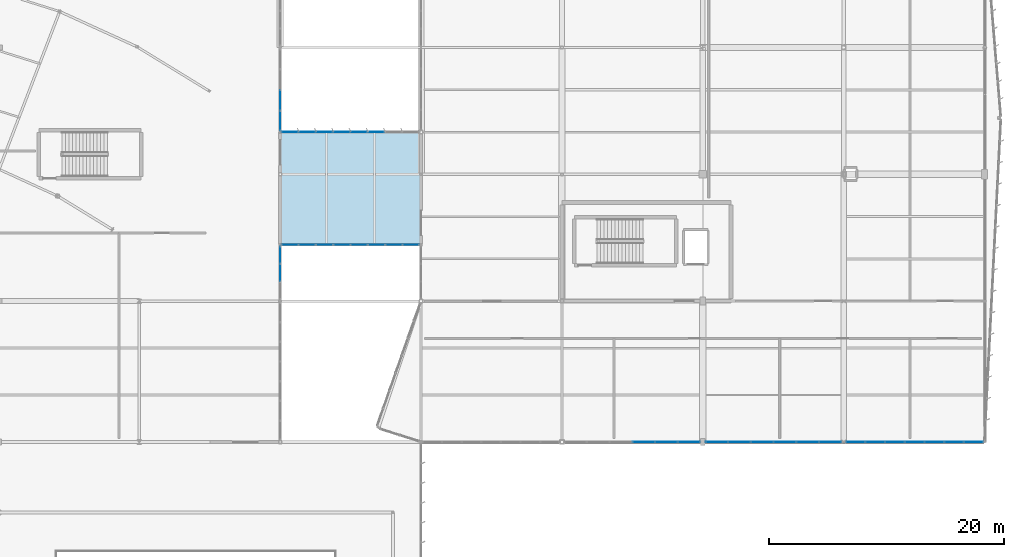
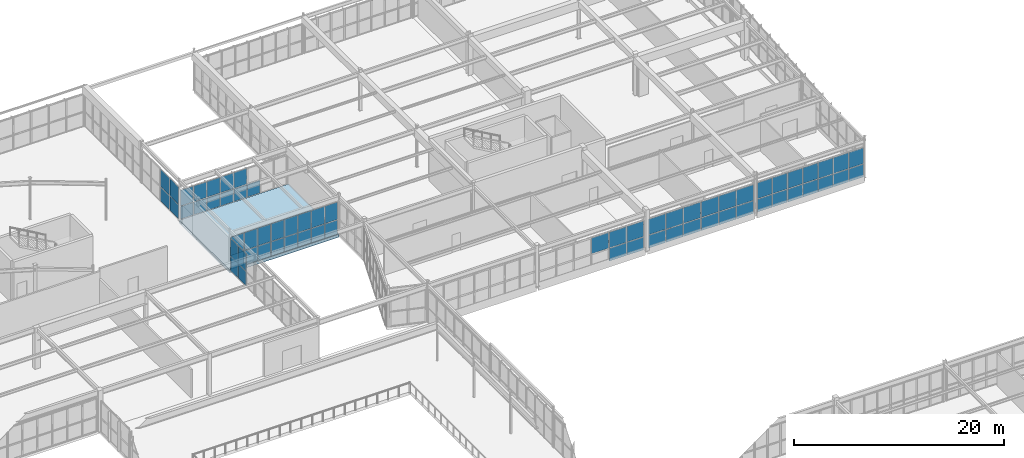
# One storey, part 125 of 186: 66 plates, 1 slab, 7 elements without a shape of their own.
"""IFC4 building model written with IfcOpenShell, lengths in metres."""

from ifc_helpers import new_model, si_unit, direction, frame, origin, origin_2d, place, context, subcontext, project, spatial, polyline, rectangle, outline, extrude, material, layer, layer_set, type_object, element, aggregate, save


model = new_model("IFC4")

# Units and contexts
model_context = context("Model", 3, precision=1e-05, world=origin(), true_north=direction((0.0, 1.0)))
body_context = subcontext(model_context, "Body", "Model", "MODEL_VIEW")
ifc_project = project(units=[si_unit("LENGTHUNIT", "METRE"), si_unit("AREAUNIT", "SQUARE_METRE"), si_unit("VOLUMEUNIT", "CUBIC_METRE"), si_unit("PLANEANGLEUNIT", "RADIAN"), si_unit("MASSUNIT", "GRAM", prefix="KILO")], contexts=[model_context])

# Site, building, storey
site_placement = place(None, origin())
site = spatial("IfcSite", under=ifc_project, at=site_placement, CompositionType="ELEMENT")
building_placement = place(site_placement, origin())
building = spatial("IfcBuilding", under=site, at=building_placement, Name="Tarnwether General Hospital", CompositionType="ELEMENT")
storey_placement = place(building_placement, frame((0.0, 0.0, 9.60009765625)))
storey = spatial("IfcBuildingStorey", under=building, at=storey_placement, Name="L02", CompositionType="ELEMENT", Elevation=9.60009765625)

# Curtain wall, plates
ifc_material_1 = material(Name="Anodised aluminium", Category="aluminium")
ifc_layer_1 = layer(ifc_material_1, 0.159912109375)
ifc_layer_set_1 = layer_set([ifc_layer_1], Name="Anodised aluminium")
curtain_wall_type_1 = type_object("IfcCurtainWallType", Name="CW-15", PredefinedType="NOTDEFINED", material=ifc_layer_set_1)
curtain_wall_1_placement = place(storey_placement, origin())
curtain_wall_1 = element("IfcCurtainWall", 1, at=curtain_wall_1_placement, inside=storey, type_object=curtain_wall_type_1, Name="Curtain Wall CWG-L02-1320_983-0443", PredefinedType="NOTDEFINED")
ifc_material_2 = material(Name="Double glazed low-E glass", Category="glass")
ifc_layer_2 = layer(ifc_material_2, 0.028076171875)
ifc_layer_set_2 = layer_set([ifc_layer_2], Name="Double glazed low-E glass")
plate_type = type_object("IfcPlateType", Name="PT-CWP1", PredefinedType="CURTAIN_PANEL", material=ifc_layer_set_2)
plate_1_placement = place(storey_placement, frame((132.0, 97.535400390625, 0.059814453125), z_axis=(0.0, 0.0, 1.0), x_axis=(0.0, -1.0, 0.0)))
plate_1 = element("IfcPlate", 2, at=plate_1_placement, type_object=plate_type, Name="CW-15 panel 1.1", PredefinedType="CURTAIN_PANEL", context=body_context, shape_type="SweptSolid", body=[
    extrude(rectangle(XDim=1.443115234375, YDim=0.028076171875, at=origin_2d()), origin(), (0.0, 0.0, 1.0), 1.6484375),
])
plate_2_placement = place(storey_placement, frame((132.0, 97.535400390625, 1.768310546875), z_axis=(0.0, 0.0, 1.0), x_axis=(0.0, -1.0, 0.0)))
plate_2 = element("IfcPlate", 3, at=plate_2_placement, type_object=plate_type, Name="CW-15 panel 1.2", PredefinedType="CURTAIN_PANEL", context=body_context, shape_type="SweptSolid", body=[
    extrude(rectangle(XDim=1.443115234375, YDim=0.028076171875, at=origin_2d()), origin(), (0.0, 0.0, 1.0), 2.03466796875),
])
plate_3_placement = place(storey_placement, frame((132.0, 96.017578125, 0.059814453125), z_axis=(0.0, 0.0, 1.0), x_axis=(0.0, -1.0, 0.0)))
plate_3 = element("IfcPlate", 4, at=plate_3_placement, type_object=plate_type, Name="CW-15 panel 2.1", PredefinedType="CURTAIN_PANEL", context=body_context, shape_type="SweptSolid", body=[
    extrude(rectangle(XDim=1.472900390625, YDim=0.028076171875, at=origin_2d()), origin(), (0.0, 0.0, 1.0), 1.6484375),
])
plate_4_placement = place(storey_placement, frame((132.0, 96.017578125, 1.768310546875), z_axis=(0.0, 0.0, 1.0), x_axis=(0.0, -1.0, 0.0)))
plate_4 = element("IfcPlate", 5, at=plate_4_placement, type_object=plate_type, Name="CW-15 panel 2.2", PredefinedType="CURTAIN_PANEL", context=body_context, shape_type="SweptSolid", body=[
    extrude(rectangle(XDim=1.472900390625, YDim=0.028076171875, at=origin_2d()), origin(), (0.0, 0.0, 1.0), 2.03466796875),
])
aggregate(curtain_wall_1, [plate_1, plate_2, plate_3, plate_4])

curtain_wall_2_placement = place(storey_placement, origin())
curtain_wall_2 = element("IfcCurtainWall", 6, at=curtain_wall_2_placement, inside=storey, type_object=curtain_wall_type_1, Name="Curtain Wall CWG-L02-1320_1151-0449", PredefinedType="NOTDEFINED")
plate_5_placement = place(storey_placement, frame((132.0, 110.703369140625, 0.059814453125), z_axis=(0.0, 0.0, 1.0), x_axis=(0.0, -1.0, 0.0)))
plate_5 = element("IfcPlate", 7, at=plate_5_placement, type_object=plate_type, Name="CW-15 panel 3.1", PredefinedType="CURTAIN_PANEL", context=body_context, shape_type="SweptSolid", body=[
    extrude(rectangle(XDim=1.695556640625, YDim=0.028076171875, at=origin_2d()), origin(), (0.0, 0.0, 1.0), 1.6357421875),
])
plate_6_placement = place(storey_placement, frame((132.0, 110.703369140625, 1.75537109375), z_axis=(0.0, 0.0, 1.0), x_axis=(0.0, -1.0, 0.0)))
plate_6 = element("IfcPlate", 8, at=plate_6_placement, type_object=plate_type, Name="CW-15 panel 3.2", PredefinedType="CURTAIN_PANEL", context=body_context, shape_type="SweptSolid", body=[
    extrude(rectangle(XDim=1.695556640625, YDim=0.028076171875, at=origin_2d()), origin(), (0.0, 0.0, 1.0), 2.019287109375),
])
plate_7_placement = place(storey_placement, frame((132.0, 108.962646484375, 0.059814453125), z_axis=(0.0, 0.0, 1.0), x_axis=(0.0, -1.0, 0.0)))
plate_7 = element("IfcPlate", 9, at=plate_7_placement, type_object=plate_type, Name="CW-15 panel 4.1", PredefinedType="CURTAIN_PANEL", context=body_context, shape_type="SweptSolid", body=[
    extrude(rectangle(XDim=1.66552734375, YDim=0.028076171875, at=origin_2d()), origin(), (0.0, 0.0, 1.0), 1.6357421875),
])
plate_8_placement = place(storey_placement, frame((132.0, 108.962646484375, 1.75537109375), z_axis=(0.0, 0.0, 1.0), x_axis=(0.0, -1.0, 0.0)))
plate_8 = element("IfcPlate", 10, at=plate_8_placement, type_object=plate_type, Name="CW-15 panel 4.2", PredefinedType="CURTAIN_PANEL", context=body_context, shape_type="SweptSolid", body=[
    extrude(rectangle(XDim=1.66552734375, YDim=0.028076171875, at=origin_2d()), origin(), (0.0, 0.0, 1.0), 2.019287109375),
])
aggregate(curtain_wall_2, [plate_5, plate_6, plate_7, plate_8])

ifc_material_3 = material(Name="Anodised aluminium", Category="aluminium")
ifc_layer_3 = layer(ifc_material_3, 0.159912109375)
ifc_layer_set_3 = layer_set([ifc_layer_3], Name="Anodised aluminium")
curtain_wall_type_2 = type_object("IfcCurtainWallType", Name="CW-17", PredefinedType="NOTDEFINED", material=ifc_layer_set_3)
curtain_wall_3_placement = place(storey_placement, origin())
curtain_wall_3 = element("IfcCurtainWall", 11, at=curtain_wall_3_placement, inside=storey, type_object=curtain_wall_type_2, Name="Curtain Wall CWG-L02-1919_816-0466", PredefinedType="NOTDEFINED")
plate_9_placement = place(storey_placement, frame((191.062255859375, 81.60009765625, 0.06005859375), z_axis=(0.0, 0.0, 1.0), x_axis=(-1.0, 0.0, 0.0)))
plate_9 = element("IfcPlate", 12, at=plate_9_placement, type_object=plate_type, Name="CW-17 panel 1.1", PredefinedType="CURTAIN_PANEL", context=body_context, shape_type="SweptSolid", body=[
    extrude(rectangle(XDim=1.58935546875, YDim=0.028076171875, at=origin_2d()), origin(), (0.0, 0.0, 1.0), 1.49609375),
])
plate_10_placement = place(storey_placement, frame((191.062255859375, 81.60009765625, 1.6162109375), z_axis=(0.0, 0.0, 1.0), x_axis=(-1.0, 0.0, 0.0)))
plate_10 = element("IfcPlate", 13, at=plate_10_placement, type_object=plate_type, Name="CW-17 panel 1.2", PredefinedType="CURTAIN_PANEL", context=body_context, shape_type="SweptSolid", body=[
    extrude(rectangle(XDim=1.58935546875, YDim=0.028076171875, at=origin_2d()), origin(), (0.0, 0.0, 1.0), 1.848876953125),
])
plate_11_placement = place(storey_placement, frame((189.398193359375, 81.60009765625, 0.06005859375), z_axis=(0.0, 0.0, 1.0), x_axis=(-1.0, 0.0, 0.0)))
plate_11 = element("IfcPlate", 14, at=plate_11_placement, type_object=plate_type, Name="CW-17 panel 2.1", PredefinedType="CURTAIN_PANEL", context=body_context, shape_type="SweptSolid", body=[
    extrude(rectangle(XDim=1.619384765625, YDim=0.028076171875, at=origin_2d()), origin(), (0.0, 0.0, 1.0), 1.49609375),
])
plate_12_placement = place(storey_placement, frame((189.398193359375, 81.60009765625, 1.6162109375), z_axis=(0.0, 0.0, 1.0), x_axis=(-1.0, 0.0, 0.0)))
plate_12 = element("IfcPlate", 15, at=plate_12_placement, type_object=plate_type, Name="CW-17 panel 2.2", PredefinedType="CURTAIN_PANEL", context=body_context, shape_type="SweptSolid", body=[
    extrude(rectangle(XDim=1.619384765625, YDim=0.028076171875, at=origin_2d()), origin(), (0.0, 0.0, 1.0), 1.848876953125),
])
plate_13_placement = place(storey_placement, frame((187.71875, 81.60009765625, 0.06005859375), z_axis=(0.0, 0.0, 1.0), x_axis=(-1.0, 0.0, 0.0)))
plate_13 = element("IfcPlate", 16, at=plate_13_placement, type_object=plate_type, Name="CW-17 panel 3.1", PredefinedType="CURTAIN_PANEL", context=body_context, shape_type="SweptSolid", body=[
    extrude(rectangle(XDim=1.619384765625, YDim=0.028076171875, at=origin_2d()), origin(), (0.0, 0.0, 1.0), 1.49609375),
])
plate_14_placement = place(storey_placement, frame((187.71875, 81.60009765625, 1.6162109375), z_axis=(0.0, 0.0, 1.0), x_axis=(-1.0, 0.0, 0.0)))
plate_14 = element("IfcPlate", 17, at=plate_14_placement, type_object=plate_type, Name="CW-17 panel 3.2", PredefinedType="CURTAIN_PANEL", context=body_context, shape_type="SweptSolid", body=[
    extrude(rectangle(XDim=1.619384765625, YDim=0.028076171875, at=origin_2d()), origin(), (0.0, 0.0, 1.0), 1.848876953125),
])
plate_15_placement = place(storey_placement, frame((186.03955078125, 81.60009765625, 0.06005859375), z_axis=(0.0, 0.0, 1.0), x_axis=(-1.0, 0.0, 0.0)))
plate_15 = element("IfcPlate", 18, at=plate_15_placement, type_object=plate_type, Name="CW-17 panel 4.1", PredefinedType="CURTAIN_PANEL", context=body_context, shape_type="SweptSolid", body=[
    extrude(rectangle(XDim=1.619384765625, YDim=0.028076171875, at=origin_2d()), origin(), (0.0, 0.0, 1.0), 1.49609375),
])
plate_16_placement = place(storey_placement, frame((186.03955078125, 81.60009765625, 1.6162109375), z_axis=(0.0, 0.0, 1.0), x_axis=(-1.0, 0.0, 0.0)))
plate_16 = element("IfcPlate", 19, at=plate_16_placement, type_object=plate_type, Name="CW-17 panel 4.2", PredefinedType="CURTAIN_PANEL", context=body_context, shape_type="SweptSolid", body=[
    extrude(rectangle(XDim=1.619384765625, YDim=0.028076171875, at=origin_2d()), origin(), (0.0, 0.0, 1.0), 1.848876953125),
])
plate_17_placement = place(storey_placement, frame((184.360107421875, 81.60009765625, 0.06005859375), z_axis=(0.0, 0.0, 1.0), x_axis=(-1.0, 0.0, 0.0)))
plate_17 = element("IfcPlate", 20, at=plate_17_placement, type_object=plate_type, Name="CW-17 panel 5.1", PredefinedType="CURTAIN_PANEL", context=body_context, shape_type="SweptSolid", body=[
    extrude(rectangle(XDim=1.619384765625, YDim=0.028076171875, at=origin_2d()), origin(), (0.0, 0.0, 1.0), 1.49609375),
])
plate_18_placement = place(storey_placement, frame((184.360107421875, 81.60009765625, 1.6162109375), z_axis=(0.0, 0.0, 1.0), x_axis=(-1.0, 0.0, 0.0)))
plate_18 = element("IfcPlate", 21, at=plate_18_placement, type_object=plate_type, Name="CW-17 panel 5.2", PredefinedType="CURTAIN_PANEL", context=body_context, shape_type="SweptSolid", body=[
    extrude(rectangle(XDim=1.619384765625, YDim=0.028076171875, at=origin_2d()), origin(), (0.0, 0.0, 1.0), 1.848876953125),
])
plate_19_placement = place(storey_placement, frame((182.680908203125, 81.60009765625, 0.06005859375), z_axis=(0.0, 0.0, 1.0), x_axis=(-1.0, 0.0, 0.0)))
plate_19 = element("IfcPlate", 22, at=plate_19_placement, type_object=plate_type, Name="CW-17 panel 6.1", PredefinedType="CURTAIN_PANEL", context=body_context, shape_type="SweptSolid", body=[
    extrude(rectangle(XDim=1.619384765625, YDim=0.028076171875, at=origin_2d()), origin(), (0.0, 0.0, 1.0), 1.49609375),
])
plate_20_placement = place(storey_placement, frame((182.680908203125, 81.60009765625, 1.6162109375), z_axis=(0.0, 0.0, 1.0), x_axis=(-1.0, 0.0, 0.0)))
plate_20 = element("IfcPlate", 23, at=plate_20_placement, type_object=plate_type, Name="CW-17 panel 6.2", PredefinedType="CURTAIN_PANEL", context=body_context, shape_type="SweptSolid", body=[
    extrude(rectangle(XDim=1.619384765625, YDim=0.028076171875, at=origin_2d()), origin(), (0.0, 0.0, 1.0), 1.848876953125),
])
plate_21_placement = place(storey_placement, frame((181.0166015625, 81.60009765625, 0.06005859375), z_axis=(0.0, 0.0, 1.0), x_axis=(-1.0, 0.0, 0.0)))
plate_21 = element("IfcPlate", 24, at=plate_21_placement, type_object=plate_type, Name="CW-17 panel 7.1", PredefinedType="CURTAIN_PANEL", context=body_context, shape_type="SweptSolid", body=[
    extrude(rectangle(XDim=1.58935546875, YDim=0.028076171875, at=origin_2d()), origin(), (0.0, 0.0, 1.0), 1.49609375),
])
plate_22_placement = place(storey_placement, frame((181.0166015625, 81.60009765625, 1.6162109375), z_axis=(0.0, 0.0, 1.0), x_axis=(-1.0, 0.0, 0.0)))
plate_22 = element("IfcPlate", 25, at=plate_22_placement, type_object=plate_type, Name="CW-17 panel 7.2", PredefinedType="CURTAIN_PANEL", context=body_context, shape_type="SweptSolid", body=[
    extrude(rectangle(XDim=1.58935546875, YDim=0.028076171875, at=origin_2d()), origin(), (0.0, 0.0, 1.0), 1.848876953125),
])
aggregate(curtain_wall_3, [plate_9, plate_10, plate_11, plate_12, plate_13, plate_14, plate_15, plate_16, plate_17, plate_18, plate_19, plate_20, plate_21, plate_22])

curtain_wall_4_placement = place(storey_placement, origin())
curtain_wall_4 = element("IfcCurtainWall", 26, at=curtain_wall_4_placement, inside=storey, type_object=curtain_wall_type_2, Name="Curtain Wall CWG-L02-1798_816-0467", PredefinedType="NOTDEFINED")
plate_23_placement = place(storey_placement, frame((178.853759765625, 81.60009765625, 0.059814453125), z_axis=(0.0, 0.0, 1.0), x_axis=(-1.0, 0.0, 0.0)))
plate_23 = element("IfcPlate", 27, at=plate_23_placement, type_object=plate_type, Name="CW-17 panel 1.1", PredefinedType="CURTAIN_PANEL", context=body_context, shape_type="SweptSolid", body=[
    extrude(rectangle(XDim=1.848388671875, YDim=0.028076171875, at=origin_2d()), origin(), (0.0, 0.0, 1.0), 1.47607421875),
])
plate_24_placement = place(storey_placement, frame((178.853759765625, 81.60009765625, 1.595703125), z_axis=(0.0, 0.0, 1.0), x_axis=(-1.0, 0.0, 0.0)))
plate_24 = element("IfcPlate", 28, at=plate_24_placement, type_object=plate_type, Name="CW-17 panel 1.2", PredefinedType="CURTAIN_PANEL", context=body_context, shape_type="SweptSolid", body=[
    extrude(rectangle(XDim=1.848388671875, YDim=0.028076171875, at=origin_2d()), origin(), (0.0, 0.0, 1.0), 1.823974609375),
])
plate_25_placement = place(storey_placement, frame((176.930419921875, 81.60009765625, 0.059814453125), z_axis=(0.0, 0.0, 1.0), x_axis=(-1.0, 0.0, 0.0)))
plate_25 = element("IfcPlate", 29, at=plate_25_placement, type_object=plate_type, Name="CW-17 panel 2.1", PredefinedType="CURTAIN_PANEL", context=body_context, shape_type="SweptSolid", body=[
    extrude(rectangle(XDim=1.87841796875, YDim=0.028076171875, at=origin_2d()), origin(), (0.0, 0.0, 1.0), 1.47607421875),
])
plate_26_placement = place(storey_placement, frame((176.930419921875, 81.60009765625, 1.595703125), z_axis=(0.0, 0.0, 1.0), x_axis=(-1.0, 0.0, 0.0)))
plate_26 = element("IfcPlate", 30, at=plate_26_placement, type_object=plate_type, Name="CW-17 panel 2.2", PredefinedType="CURTAIN_PANEL", context=body_context, shape_type="SweptSolid", body=[
    extrude(rectangle(XDim=1.87841796875, YDim=0.028076171875, at=origin_2d()), origin(), (0.0, 0.0, 1.0), 1.823974609375),
])
plate_27_placement = place(storey_placement, frame((174.9921875, 81.60009765625, 0.059814453125), z_axis=(0.0, 0.0, 1.0), x_axis=(-1.0, 0.0, 0.0)))
plate_27 = element("IfcPlate", 31, at=plate_27_placement, type_object=plate_type, Name="CW-17 panel 3.1", PredefinedType="CURTAIN_PANEL", context=body_context, shape_type="SweptSolid", body=[
    extrude(rectangle(XDim=1.87841796875, YDim=0.028076171875, at=origin_2d()), origin(), (0.0, 0.0, 1.0), 1.47607421875),
])
plate_28_placement = place(storey_placement, frame((174.9921875, 81.60009765625, 1.595703125), z_axis=(0.0, 0.0, 1.0), x_axis=(-1.0, 0.0, 0.0)))
plate_28 = element("IfcPlate", 32, at=plate_28_placement, type_object=plate_type, Name="CW-17 panel 3.2", PredefinedType="CURTAIN_PANEL", context=body_context, shape_type="SweptSolid", body=[
    extrude(rectangle(XDim=1.87841796875, YDim=0.028076171875, at=origin_2d()), origin(), (0.0, 0.0, 1.0), 1.823974609375),
])
plate_29_placement = place(storey_placement, frame((173.053955078125, 81.60009765625, 0.059814453125), z_axis=(0.0, 0.0, 1.0), x_axis=(-1.0, 0.0, 0.0)))
plate_29 = element("IfcPlate", 33, at=plate_29_placement, type_object=plate_type, Name="CW-17 panel 4.1", PredefinedType="CURTAIN_PANEL", context=body_context, shape_type="SweptSolid", body=[
    extrude(rectangle(XDim=1.87841796875, YDim=0.028076171875, at=origin_2d()), origin(), (0.0, 0.0, 1.0), 1.47607421875),
])
plate_30_placement = place(storey_placement, frame((173.053955078125, 81.60009765625, 1.595703125), z_axis=(0.0, 0.0, 1.0), x_axis=(-1.0, 0.0, 0.0)))
plate_30 = element("IfcPlate", 34, at=plate_30_placement, type_object=plate_type, Name="CW-17 panel 4.2", PredefinedType="CURTAIN_PANEL", context=body_context, shape_type="SweptSolid", body=[
    extrude(rectangle(XDim=1.87841796875, YDim=0.028076171875, at=origin_2d()), origin(), (0.0, 0.0, 1.0), 1.823974609375),
])
plate_31_placement = place(storey_placement, frame((171.115478515625, 81.60009765625, 0.059814453125), z_axis=(0.0, 0.0, 1.0), x_axis=(-1.0, 0.0, 0.0)))
plate_31 = element("IfcPlate", 35, at=plate_31_placement, type_object=plate_type, Name="CW-17 panel 5.1", PredefinedType="CURTAIN_PANEL", context=body_context, shape_type="SweptSolid", body=[
    extrude(rectangle(XDim=1.87841796875, YDim=0.028076171875, at=origin_2d()), origin(), (0.0, 0.0, 1.0), 1.47607421875),
])
plate_32_placement = place(storey_placement, frame((171.115478515625, 81.60009765625, 1.595703125), z_axis=(0.0, 0.0, 1.0), x_axis=(-1.0, 0.0, 0.0)))
plate_32 = element("IfcPlate", 36, at=plate_32_placement, type_object=plate_type, Name="CW-17 panel 5.2", PredefinedType="CURTAIN_PANEL", context=body_context, shape_type="SweptSolid", body=[
    extrude(rectangle(XDim=1.87841796875, YDim=0.028076171875, at=origin_2d()), origin(), (0.0, 0.0, 1.0), 1.823974609375),
])
plate_33_placement = place(storey_placement, frame((169.192138671875, 81.60009765625, 0.059814453125), z_axis=(0.0, 0.0, 1.0), x_axis=(-1.0, 0.0, 0.0)))
plate_33 = element("IfcPlate", 37, at=plate_33_placement, type_object=plate_type, Name="CW-17 panel 6.1", PredefinedType="CURTAIN_PANEL", context=body_context, shape_type="SweptSolid", body=[
    extrude(rectangle(XDim=1.848388671875, YDim=0.028076171875, at=origin_2d()), origin(), (0.0, 0.0, 1.0), 1.47607421875),
])
plate_34_placement = place(storey_placement, frame((169.192138671875, 81.60009765625, 1.595703125), z_axis=(0.0, 0.0, 1.0), x_axis=(-1.0, 0.0, 0.0)))
plate_34 = element("IfcPlate", 38, at=plate_34_placement, type_object=plate_type, Name="CW-17 panel 6.2", PredefinedType="CURTAIN_PANEL", context=body_context, shape_type="SweptSolid", body=[
    extrude(rectangle(XDim=1.848388671875, YDim=0.028076171875, at=origin_2d()), origin(), (0.0, 0.0, 1.0), 1.823974609375),
])
aggregate(curtain_wall_4, [plate_23, plate_24, plate_25, plate_26, plate_27, plate_28, plate_29, plate_30, plate_31, plate_32, plate_33, plate_34])

curtain_wall_5_placement = place(storey_placement, origin())
curtain_wall_5 = element("IfcCurtainWall", 39, at=curtain_wall_5_placement, inside=storey, type_object=curtain_wall_type_2, Name="Curtain Wall CWG-L02-1678_816-0468", PredefinedType="NOTDEFINED")
plate_35_placement = place(storey_placement, frame((166.809814453125, 81.60009765625, 0.059814453125), z_axis=(0.0, 0.0, 1.0), x_axis=(-1.0, 0.0, 0.0)))
plate_35 = element("IfcPlate", 40, at=plate_35_placement, type_object=plate_type, Name="CW-17 panel 1.1", PredefinedType="CURTAIN_PANEL", context=body_context, shape_type="SweptSolid", body=[
    extrude(rectangle(XDim=1.84423828125, YDim=0.028076171875, at=origin_2d()), origin(), (0.0, 0.0, 1.0), 1.47607421875),
])
plate_36_placement = place(storey_placement, frame((166.809814453125, 81.60009765625, 1.595703125), z_axis=(0.0, 0.0, 1.0), x_axis=(-1.0, 0.0, 0.0)))
plate_36 = element("IfcPlate", 41, at=plate_36_placement, type_object=plate_type, Name="CW-17 panel 1.2", PredefinedType="CURTAIN_PANEL", context=body_context, shape_type="SweptSolid", body=[
    extrude(rectangle(XDim=1.84423828125, YDim=0.028076171875, at=origin_2d()), origin(), (0.0, 0.0, 1.0), 1.823974609375),
])
plate_37_placement = place(storey_placement, frame((164.890380859375, 81.60009765625, 0.059814453125), z_axis=(0.0, 0.0, 1.0), x_axis=(-1.0, 0.0, 0.0)))
plate_37 = element("IfcPlate", 42, at=plate_37_placement, type_object=plate_type, Name="CW-17 panel 2.1", PredefinedType="CURTAIN_PANEL", context=body_context, shape_type="SweptSolid", body=[
    extrude(rectangle(XDim=1.874267578125, YDim=0.028076171875, at=origin_2d()), origin(), (0.0, 0.0, 1.0), 1.47607421875),
])
plate_38_placement = place(storey_placement, frame((164.890380859375, 81.60009765625, 1.595703125), z_axis=(0.0, 0.0, 1.0), x_axis=(-1.0, 0.0, 0.0)))
plate_38 = element("IfcPlate", 43, at=plate_38_placement, type_object=plate_type, Name="CW-17 panel 2.2", PredefinedType="CURTAIN_PANEL", context=body_context, shape_type="SweptSolid", body=[
    extrude(rectangle(XDim=1.874267578125, YDim=0.028076171875, at=origin_2d()), origin(), (0.0, 0.0, 1.0), 1.823974609375),
])
plate_39_placement = place(storey_placement, frame((162.9560546875, 81.60009765625, 1.595703125), z_axis=(0.0, 0.0, 1.0), x_axis=(-1.0, 0.0, 0.0)))
plate_39 = element("IfcPlate", 44, at=plate_39_placement, type_object=plate_type, Name="CW-17 panel 3.2", PredefinedType="CURTAIN_PANEL", context=body_context, shape_type="SweptSolid", body=[
    extrude(rectangle(XDim=1.874267578125, YDim=0.028076171875, at=origin_2d()), origin(), (0.0, 0.0, 1.0), 1.823974609375),
])
aggregate(curtain_wall_5, [plate_35, plate_36, plate_37, plate_38, plate_39])

ifc_material_4 = material(Name="Anodised aluminium", Category="aluminium")
ifc_layer_4 = layer(ifc_material_4, 0.159912109375)
ifc_layer_set_4 = layer_set([ifc_layer_4], Name="Anodised aluminium")
curtain_wall_type_3 = type_object("IfcCurtainWallType", Name="CW-21", PredefinedType="NOTDEFINED", material=ifc_layer_set_4)
curtain_wall_6_placement = place(storey_placement, origin())
curtain_wall_6 = element("IfcCurtainWall", 45, at=curtain_wall_6_placement, inside=storey, type_object=curtain_wall_type_3, Name="Curtain Wall CWG-L02-1321_1080-0474", PredefinedType="NOTDEFINED")
plate_40_placement = place(storey_placement, frame((132.821044921875, 108.0, 0.059814453125), z_axis=(0.0, 0.0, 1.0), x_axis=(1.0, 0.0, 0.0)))
plate_40 = element("IfcPlate", 46, at=plate_40_placement, type_object=plate_type, Name="CW-21 panel 1.1", PredefinedType="CURTAIN_PANEL", context=body_context, shape_type="SweptSolid", body=[
    extrude(rectangle(XDim=1.3798828125, YDim=0.028076171875, at=origin_2d()), origin(), (0.0, 0.0, 1.0), 1.47607421875),
])
plate_41_placement = place(storey_placement, frame((132.821044921875, 108.0, 1.595703125), z_axis=(0.0, 0.0, 1.0), x_axis=(1.0, 0.0, 0.0)))
plate_41 = element("IfcPlate", 47, at=plate_41_placement, type_object=plate_type, Name="CW-21 panel 1.2", PredefinedType="CURTAIN_PANEL", context=body_context, shape_type="SweptSolid", body=[
    extrude(rectangle(XDim=1.3798828125, YDim=0.028076171875, at=origin_2d()), origin(), (0.0, 0.0, 1.0), 1.823974609375),
])
plate_42_placement = place(storey_placement, frame((134.27587890625, 108.0, 0.059814453125), z_axis=(0.0, 0.0, 1.0), x_axis=(1.0, 0.0, 0.0)))
plate_42 = element("IfcPlate", 48, at=plate_42_placement, type_object=plate_type, Name="CW-21 panel 2.1", PredefinedType="CURTAIN_PANEL", context=body_context, shape_type="SweptSolid", body=[
    extrude(rectangle(XDim=1.409912109375, YDim=0.028076171875, at=origin_2d()), origin(), (0.0, 0.0, 1.0), 1.47607421875),
])
plate_43_placement = place(storey_placement, frame((134.27587890625, 108.0, 1.595703125), z_axis=(0.0, 0.0, 1.0), x_axis=(1.0, 0.0, 0.0)))
plate_43 = element("IfcPlate", 49, at=plate_43_placement, type_object=plate_type, Name="CW-21 panel 2.2", PredefinedType="CURTAIN_PANEL", context=body_context, shape_type="SweptSolid", body=[
    extrude(rectangle(XDim=1.409912109375, YDim=0.028076171875, at=origin_2d()), origin(), (0.0, 0.0, 1.0), 1.823974609375),
])
plate_44_placement = place(storey_placement, frame((135.74560546875, 108.0, 0.059814453125), z_axis=(0.0, 0.0, 1.0), x_axis=(1.0, 0.0, 0.0)))
plate_44 = element("IfcPlate", 50, at=plate_44_placement, type_object=plate_type, Name="CW-21 panel 3.1", PredefinedType="CURTAIN_PANEL", context=body_context, shape_type="SweptSolid", body=[
    extrude(rectangle(XDim=1.409912109375, YDim=0.028076171875, at=origin_2d()), origin(), (0.0, 0.0, 1.0), 1.47607421875),
])
plate_45_placement = place(storey_placement, frame((135.74560546875, 108.0, 1.595703125), z_axis=(0.0, 0.0, 1.0), x_axis=(1.0, 0.0, 0.0)))
plate_45 = element("IfcPlate", 51, at=plate_45_placement, type_object=plate_type, Name="CW-21 panel 3.2", PredefinedType="CURTAIN_PANEL", context=body_context, shape_type="SweptSolid", body=[
    extrude(rectangle(XDim=1.409912109375, YDim=0.028076171875, at=origin_2d()), origin(), (0.0, 0.0, 1.0), 1.823974609375),
])
plate_46_placement = place(storey_placement, frame((137.215576171875, 108.0, 0.059814453125), z_axis=(0.0, 0.0, 1.0), x_axis=(1.0, 0.0, 0.0)))
plate_46 = element("IfcPlate", 52, at=plate_46_placement, type_object=plate_type, Name="CW-21 panel 4.1", PredefinedType="CURTAIN_PANEL", context=body_context, shape_type="SweptSolid", body=[
    extrude(rectangle(XDim=1.409912109375, YDim=0.028076171875, at=origin_2d()), origin(), (0.0, 0.0, 1.0), 1.47607421875),
])
plate_47_placement = place(storey_placement, frame((137.215576171875, 108.0, 1.595703125), z_axis=(0.0, 0.0, 1.0), x_axis=(1.0, 0.0, 0.0)))
plate_47 = element("IfcPlate", 53, at=plate_47_placement, type_object=plate_type, Name="CW-21 panel 4.2", PredefinedType="CURTAIN_PANEL", context=body_context, shape_type="SweptSolid", body=[
    extrude(rectangle(XDim=1.409912109375, YDim=0.028076171875, at=origin_2d()), origin(), (0.0, 0.0, 1.0), 1.823974609375),
])
plate_48_placement = place(storey_placement, frame((138.685546875, 108.0, 0.059814453125), z_axis=(0.0, 0.0, 1.0), x_axis=(1.0, 0.0, 0.0)))
plate_48 = element("IfcPlate", 54, at=plate_48_placement, type_object=plate_type, Name="CW-21 panel 5.1", PredefinedType="CURTAIN_PANEL", context=body_context, shape_type="SweptSolid", body=[
    extrude(rectangle(XDim=1.409912109375, YDim=0.028076171875, at=origin_2d()), origin(), (0.0, 0.0, 1.0), 1.47607421875),
])
plate_49_placement = place(storey_placement, frame((138.685546875, 108.0, 1.595703125), z_axis=(0.0, 0.0, 1.0), x_axis=(1.0, 0.0, 0.0)))
plate_49 = element("IfcPlate", 55, at=plate_49_placement, type_object=plate_type, Name="CW-21 panel 5.2", PredefinedType="CURTAIN_PANEL", context=body_context, shape_type="SweptSolid", body=[
    extrude(rectangle(XDim=1.409912109375, YDim=0.028076171875, at=origin_2d()), origin(), (0.0, 0.0, 1.0), 1.823974609375),
])
plate_50_placement = place(storey_placement, frame((140.1552734375, 108.0, 0.059814453125), z_axis=(0.0, 0.0, 1.0), x_axis=(1.0, 0.0, 0.0)))
plate_50 = element("IfcPlate", 56, at=plate_50_placement, type_object=plate_type, Name="CW-21 panel 6.1", PredefinedType="CURTAIN_PANEL", context=body_context, shape_type="SweptSolid", body=[
    extrude(rectangle(XDim=1.409912109375, YDim=0.028076171875, at=origin_2d()), origin(), (0.0, 0.0, 1.0), 1.47607421875),
])
aggregate(curtain_wall_6, [plate_40, plate_41, plate_42, plate_43, plate_44, plate_45, plate_46, plate_47, plate_48, plate_49, plate_50])

ifc_material_5 = material(Name="Anodised aluminium", Category="aluminium")
ifc_layer_5 = layer(ifc_material_5, 0.159912109375)
ifc_layer_set_5 = layer_set([ifc_layer_5], Name="Anodised aluminium")
curtain_wall_type_4 = type_object("IfcCurtainWallType", Name="CW-22", PredefinedType="NOTDEFINED", material=ifc_layer_set_5)
curtain_wall_7_placement = place(storey_placement, origin())
curtain_wall_7 = element("IfcCurtainWall", 57, at=curtain_wall_7_placement, inside=storey, type_object=curtain_wall_type_4, Name="Curtain Wall CWG-L02-1439_984-0475", PredefinedType="NOTDEFINED")
plate_51_placement = place(storey_placement, frame((143.13623046875, 98.39990234375, 0.059814453125), z_axis=(0.0, 0.0, 1.0), x_axis=(-1.0, 0.0, 0.0)))
plate_51 = element("IfcPlate", 58, at=plate_51_placement, type_object=plate_type, Name="CW-22 panel 1.1", PredefinedType="CURTAIN_PANEL", context=body_context, shape_type="SweptSolid", body=[
    extrude(rectangle(XDim=1.3857421875, YDim=0.028076171875, at=origin_2d()), origin(), (0.0, 0.0, 1.0), 1.6484375),
])
plate_52_placement = place(storey_placement, frame((143.13623046875, 98.39990234375, 1.768310546875), z_axis=(0.0, 0.0, 1.0), x_axis=(-1.0, 0.0, 0.0)))
plate_52 = element("IfcPlate", 59, at=plate_52_placement, type_object=plate_type, Name="CW-22 panel 1.2", PredefinedType="CURTAIN_PANEL", context=body_context, shape_type="SweptSolid", body=[
    extrude(rectangle(XDim=1.3857421875, YDim=0.028076171875, at=origin_2d()), origin(), (0.0, 0.0, 1.0), 2.03466796875),
])
plate_53_placement = place(storey_placement, frame((141.67529296875, 98.39990234375, 0.059814453125), z_axis=(0.0, 0.0, 1.0), x_axis=(-1.0, 0.0, 0.0)))
plate_53 = element("IfcPlate", 60, at=plate_53_placement, type_object=plate_type, Name="CW-22 panel 2.1", PredefinedType="CURTAIN_PANEL", context=body_context, shape_type="SweptSolid", body=[
    extrude(rectangle(XDim=1.415771484375, YDim=0.028076171875, at=origin_2d()), origin(), (0.0, 0.0, 1.0), 1.6484375),
])
plate_54_placement = place(storey_placement, frame((141.67529296875, 98.39990234375, 1.768310546875), z_axis=(0.0, 0.0, 1.0), x_axis=(-1.0, 0.0, 0.0)))
plate_54 = element("IfcPlate", 61, at=plate_54_placement, type_object=plate_type, Name="CW-22 panel 2.2", PredefinedType="CURTAIN_PANEL", context=body_context, shape_type="SweptSolid", body=[
    extrude(rectangle(XDim=1.415771484375, YDim=0.028076171875, at=origin_2d()), origin(), (0.0, 0.0, 1.0), 2.03466796875),
])
plate_55_placement = place(storey_placement, frame((140.19970703125, 98.39990234375, 0.059814453125), z_axis=(0.0, 0.0, 1.0), x_axis=(-1.0, 0.0, 0.0)))
plate_55 = element("IfcPlate", 62, at=plate_55_placement, type_object=plate_type, Name="CW-22 panel 3.1", PredefinedType="CURTAIN_PANEL", context=body_context, shape_type="SweptSolid", body=[
    extrude(rectangle(XDim=1.415771484375, YDim=0.028076171875, at=origin_2d()), origin(), (0.0, 0.0, 1.0), 1.6484375),
])
plate_56_placement = place(storey_placement, frame((140.19970703125, 98.39990234375, 1.768310546875), z_axis=(0.0, 0.0, 1.0), x_axis=(-1.0, 0.0, 0.0)))
plate_56 = element("IfcPlate", 63, at=plate_56_placement, type_object=plate_type, Name="CW-22 panel 3.2", PredefinedType="CURTAIN_PANEL", context=body_context, shape_type="SweptSolid", body=[
    extrude(rectangle(XDim=1.415771484375, YDim=0.028076171875, at=origin_2d()), origin(), (0.0, 0.0, 1.0), 2.03466796875),
])
plate_57_placement = place(storey_placement, frame((138.723876953125, 98.39990234375, 0.059814453125), z_axis=(0.0, 0.0, 1.0), x_axis=(-1.0, 0.0, 0.0)))
plate_57 = element("IfcPlate", 64, at=plate_57_placement, type_object=plate_type, Name="CW-22 panel 4.1", PredefinedType="CURTAIN_PANEL", context=body_context, shape_type="SweptSolid", body=[
    extrude(rectangle(XDim=1.415771484375, YDim=0.028076171875, at=origin_2d()), origin(), (0.0, 0.0, 1.0), 1.6484375),
])
plate_58_placement = place(storey_placement, frame((138.723876953125, 98.39990234375, 1.768310546875), z_axis=(0.0, 0.0, 1.0), x_axis=(-1.0, 0.0, 0.0)))
plate_58 = element("IfcPlate", 65, at=plate_58_placement, type_object=plate_type, Name="CW-22 panel 4.2", PredefinedType="CURTAIN_PANEL", context=body_context, shape_type="SweptSolid", body=[
    extrude(rectangle(XDim=1.415771484375, YDim=0.028076171875, at=origin_2d()), origin(), (0.0, 0.0, 1.0), 2.03466796875),
])
plate_59_placement = place(storey_placement, frame((137.248046875, 98.39990234375, 0.059814453125), z_axis=(0.0, 0.0, 1.0), x_axis=(-1.0, 0.0, 0.0)))
plate_59 = element("IfcPlate", 66, at=plate_59_placement, type_object=plate_type, Name="CW-22 panel 5.1", PredefinedType="CURTAIN_PANEL", context=body_context, shape_type="SweptSolid", body=[
    extrude(rectangle(XDim=1.415771484375, YDim=0.028076171875, at=origin_2d()), origin(), (0.0, 0.0, 1.0), 1.6484375),
])
plate_60_placement = place(storey_placement, frame((137.248046875, 98.39990234375, 1.768310546875), z_axis=(0.0, 0.0, 1.0), x_axis=(-1.0, 0.0, 0.0)))
plate_60 = element("IfcPlate", 67, at=plate_60_placement, type_object=plate_type, Name="CW-22 panel 5.2", PredefinedType="CURTAIN_PANEL", context=body_context, shape_type="SweptSolid", body=[
    extrude(rectangle(XDim=1.415771484375, YDim=0.028076171875, at=origin_2d()), origin(), (0.0, 0.0, 1.0), 2.03466796875),
])
plate_61_placement = place(storey_placement, frame((135.7724609375, 98.39990234375, 0.059814453125), z_axis=(0.0, 0.0, 1.0), x_axis=(-1.0, 0.0, 0.0)))
plate_61 = element("IfcPlate", 68, at=plate_61_placement, type_object=plate_type, Name="CW-22 panel 6.1", PredefinedType="CURTAIN_PANEL", context=body_context, shape_type="SweptSolid", body=[
    extrude(rectangle(XDim=1.415771484375, YDim=0.028076171875, at=origin_2d()), origin(), (0.0, 0.0, 1.0), 1.6484375),
])
plate_62_placement = place(storey_placement, frame((135.7724609375, 98.39990234375, 1.768310546875), z_axis=(0.0, 0.0, 1.0), x_axis=(-1.0, 0.0, 0.0)))
plate_62 = element("IfcPlate", 69, at=plate_62_placement, type_object=plate_type, Name="CW-22 panel 6.2", PredefinedType="CURTAIN_PANEL", context=body_context, shape_type="SweptSolid", body=[
    extrude(rectangle(XDim=1.415771484375, YDim=0.028076171875, at=origin_2d()), origin(), (0.0, 0.0, 1.0), 2.03466796875),
])
plate_63_placement = place(storey_placement, frame((134.296630859375, 98.39990234375, 0.059814453125), z_axis=(0.0, 0.0, 1.0), x_axis=(-1.0, 0.0, 0.0)))
plate_63 = element("IfcPlate", 70, at=plate_63_placement, type_object=plate_type, Name="CW-22 panel 7.1", PredefinedType="CURTAIN_PANEL", context=body_context, shape_type="SweptSolid", body=[
    extrude(rectangle(XDim=1.415771484375, YDim=0.028076171875, at=origin_2d()), origin(), (0.0, 0.0, 1.0), 1.6484375),
])
plate_64_placement = place(storey_placement, frame((134.296630859375, 98.39990234375, 1.768310546875), z_axis=(0.0, 0.0, 1.0), x_axis=(-1.0, 0.0, 0.0)))
plate_64 = element("IfcPlate", 71, at=plate_64_placement, type_object=plate_type, Name="CW-22 panel 7.2", PredefinedType="CURTAIN_PANEL", context=body_context, shape_type="SweptSolid", body=[
    extrude(rectangle(XDim=1.415771484375, YDim=0.028076171875, at=origin_2d()), origin(), (0.0, 0.0, 1.0), 2.03466796875),
])
plate_65_placement = place(storey_placement, frame((132.8359375, 98.39990234375, 0.059814453125), z_axis=(0.0, 0.0, 1.0), x_axis=(-1.0, 0.0, 0.0)))
plate_65 = element("IfcPlate", 72, at=plate_65_placement, type_object=plate_type, Name="CW-22 panel 8.1", PredefinedType="CURTAIN_PANEL", context=body_context, shape_type="SweptSolid", body=[
    extrude(rectangle(XDim=1.3857421875, YDim=0.028076171875, at=origin_2d()), origin(), (0.0, 0.0, 1.0), 1.6484375),
])
plate_66_placement = place(storey_placement, frame((132.8359375, 98.39990234375, 1.768310546875), z_axis=(0.0, 0.0, 1.0), x_axis=(-1.0, 0.0, 0.0)))
plate_66 = element("IfcPlate", 73, at=plate_66_placement, type_object=plate_type, Name="CW-22 panel 8.2", PredefinedType="CURTAIN_PANEL", context=body_context, shape_type="SweptSolid", body=[
    extrude(rectangle(XDim=1.3857421875, YDim=0.028076171875, at=origin_2d()), origin(), (0.0, 0.0, 1.0), 2.03466796875),
])
aggregate(curtain_wall_7, [plate_51, plate_52, plate_53, plate_54, plate_55, plate_56, plate_57, plate_58, plate_59, plate_60, plate_61, plate_62, plate_63, plate_64, plate_65, plate_66])

# Slab
ifc_material_6 = material(Name="Concrete 40 MPa", Category="concrete")
ifc_layer_6 = layer(ifc_material_6, 0.35498046875)
ifc_layer_set_6 = layer_set([ifc_layer_6], Name="Concrete 40 MPa")
slab_type = type_object("IfcSlabType", Name="SL-FL220", PredefinedType="FLOOR", material=ifc_layer_set_6)
slab_placement = place(storey_placement, frame((0.0, 0.0, -0.35498046875)))
element("IfcSlab", 74, at=slab_placement, inside=storey, type_object=slab_type, Name="L02 North Court Link Bridge Floor SL-L02-BRN", PredefinedType="FLOOR", context=body_context, shape_type="SweptSolid", body=[
    extrude(outline(polyline([(144.0, 98.39990234375), (144.0, 108.0), (132.0, 108.0), (132.0, 98.39990234375), (144.0, 98.39990234375)])), origin(), (0.0, 0.0, 1.0), 0.35498046875),
])

save(model, "model.ifc")
